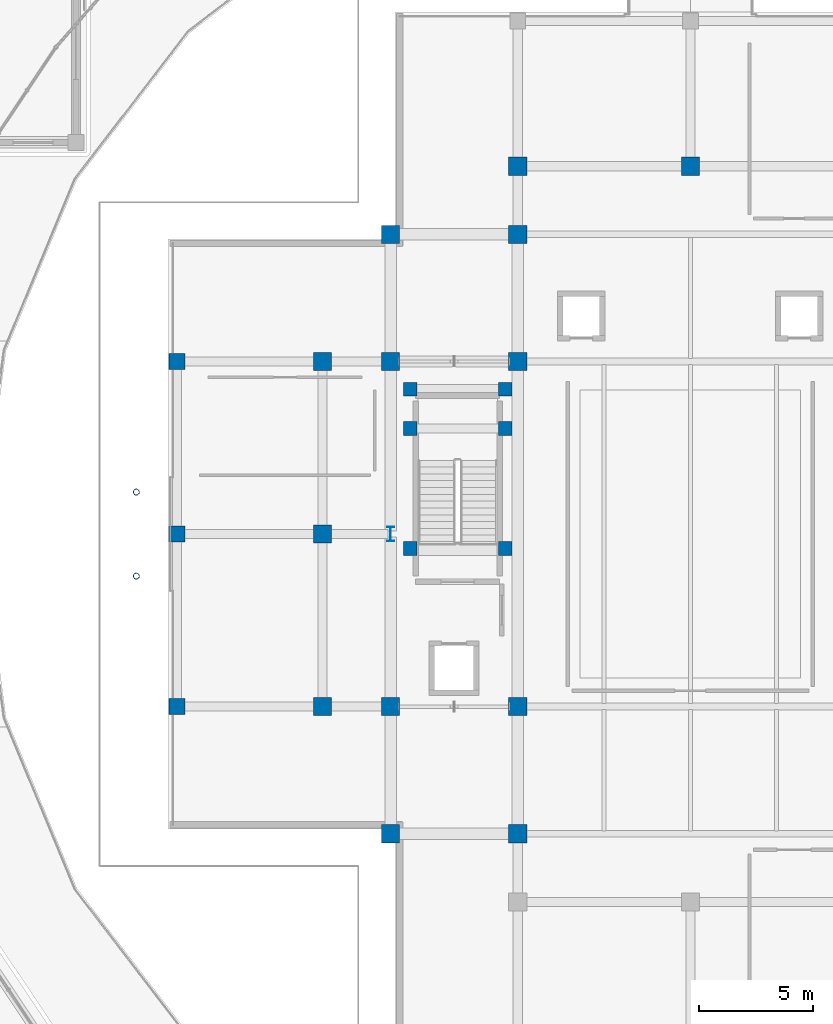
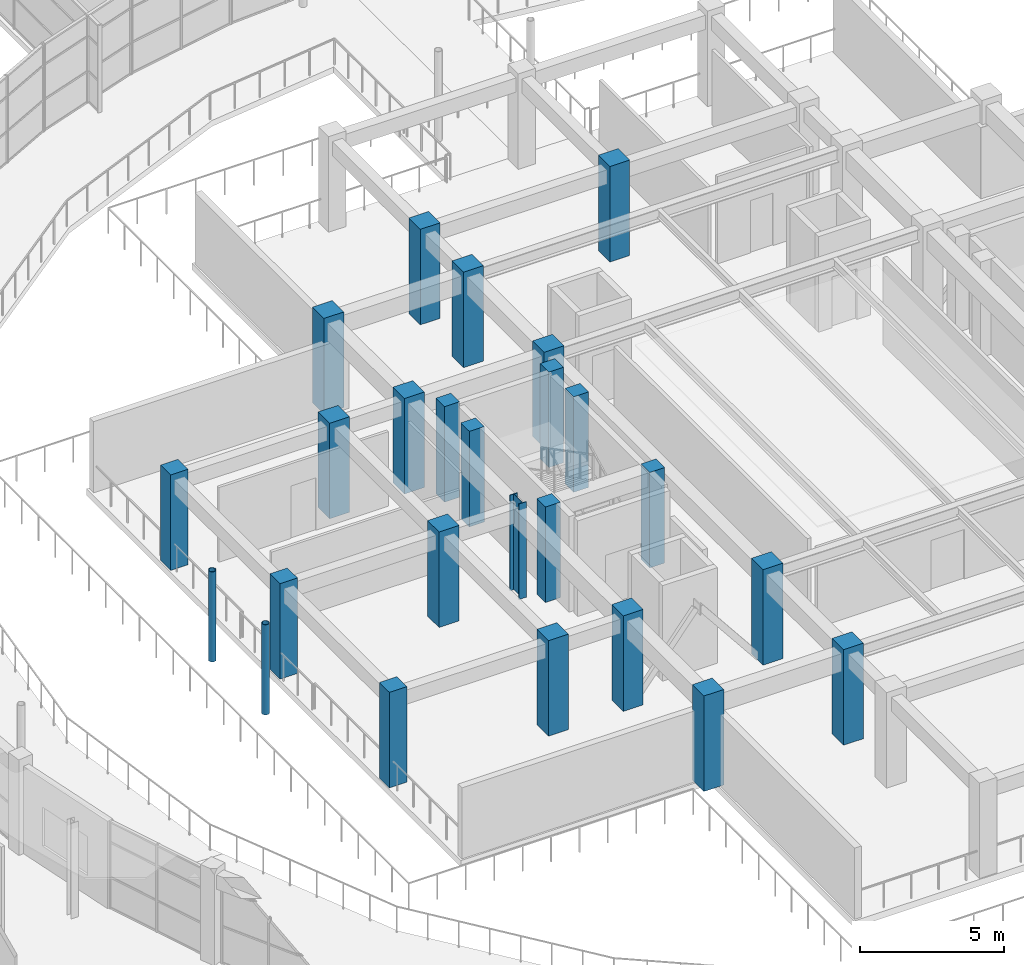
# One storey, part 4 of 83: 25 columns.
"""IFC4 building model written with IfcOpenShell, lengths in metres."""

from ifc_helpers import new_model, si_unit, direction, frame, origin, origin_2d, place, context, subcontext, project, spatial, rectangle, hollow_circle, i_section, extrude, material, material_profile, profile_set, type_object, element, save


model = new_model("IFC4")

# Units and contexts
model_context = context("Model", 3, precision=1e-05, world=origin(), true_north=direction((0.0, 1.0)))
body_context = subcontext(model_context, "Body", "Model", "MODEL_VIEW")
ifc_project = project(units=[si_unit("LENGTHUNIT", "METRE"), si_unit("AREAUNIT", "SQUARE_METRE"), si_unit("VOLUMEUNIT", "CUBIC_METRE"), si_unit("PLANEANGLEUNIT", "RADIAN"), si_unit("MASSUNIT", "GRAM", prefix="KILO")], contexts=[model_context])

# Site, building, storey
site_placement = place(None, origin())
site = spatial("IfcSite", under=ifc_project, at=site_placement, CompositionType="ELEMENT")
building_placement = place(site_placement, origin())
building = spatial("IfcBuilding", under=site, at=building_placement, Name="Saryqyr Civic Hall", CompositionType="ELEMENT")
storey_placement = place(building_placement, frame((0.0, 0.0, 9.14990234375)))
storey = spatial("IfcBuildingStorey", under=building, at=storey_placement, Name="L02", CompositionType="ELEMENT", Elevation=9.14990234375)

# Columns
ifc_material_1 = material(Name="Steel S355", Category="steel")
ifc_material_profile_1 = material_profile(ifc_material_1, hollow_circle(Radius=0.136474609375, WallThickness=0.01611328125, at=origin_2d()), Name="CHS 273x16")
ifc_profile_set_1 = profile_set([ifc_material_profile_1], Name="Steel S355")
column_type_1 = type_object("IfcColumnType", Name="STR-COL-CHS273-S355", PredefinedType="COLUMN", material=ifc_profile_set_1)
for number, where, z_axis, x_axis, name in (
    (1, (32.60009765625, 82.14990234375, 0.0), (0.0, 0.0, 1.0), (1.0, 0.0, 0.0), "Column BRCOL-BR-CW-2-L02"),
    (2, (32.60009765625, 85.85009765625, 0.0), (0.0, 0.0, 1.0), (1.0, 0.0, 0.0), "Column BRCOL-BR-CW-3-L02"),
):
    element("IfcColumn", number, at=place(storey_placement, frame(where, z_axis=z_axis, x_axis=x_axis)), inside=storey, type_object=column_type_1, Name=name, PredefinedType="COLUMN", context=body_context, shape_type="SweptSolid", body=[
        extrude(hollow_circle(Radius=0.136474609375, WallThickness=0.01611328125, at=origin_2d()), origin(), (0.0, 0.0, 1.0), 3.820068359375),
    ])
ifc_material_profile_2 = material_profile(ifc_material_1, i_section(OverallWidth=0.300048828125, OverallDepth=0.64990234375, WebThickness=0.01611328125, FlangeThickness=0.031005859375, at=origin_2d()), Name="HEB 650")
ifc_profile_set_2 = profile_set([ifc_material_profile_2], Name="Steel S355")
column_type_2 = type_object("IfcColumnType", Name="STR-COL-HEB650-S355", PredefinedType="COLUMN", material=ifc_profile_set_2)
column_placement = place(storey_placement, frame((43.800048828125, 84.0, 0.0), z_axis=(0.0, 0.0, 1.0), x_axis=(1.0, 0.0, 0.0)))
element("IfcColumn", 3, at=column_placement, inside=storey, type_object=column_type_2, Name="Column V1-GCOL-W-L02", PredefinedType="COLUMN", context=body_context, shape_type="SweptSolid", body=[
    extrude(i_section(OverallWidth=0.300048828125, OverallDepth=0.64990234375, WebThickness=0.01611328125, FlangeThickness=0.031005859375, at=origin_2d()), origin(), (0.0, 0.0, 1.0), 4.050048828125),
])
ifc_material_2 = material(Name="Concrete C40/50", Category="concrete")
ifc_material_profile_3 = material_profile(ifc_material_2, rectangle(XDim=0.60009765625, YDim=0.60009765625, at=origin_2d()), Name="RC 600x600")
ifc_profile_set_3 = profile_set([ifc_material_profile_3], Name="Concrete C40/50")
column_type_3 = type_object("IfcColumnType", Name="STR-COL-RC600-C40", PredefinedType="COLUMN", material=ifc_profile_set_3)
for number, where, z_axis, x_axis, name in (
    (4, (48.840087890625, 83.364990234375, 0.0), (0.0, 0.0, 1.0), (1.0, 0.0, 0.0), "Column ST-1-SCOL-TRMA-L02"),
    (5, (44.659912109375, 83.364990234375, 0.0), (0.0, 0.0, 1.0), (1.0, 0.0, 0.0), "Column ST-1-SCOL-TRMB-L02"),
    (6, (48.840087890625, 88.64990234375, 0.0), (0.0, 0.0, 1.0), (1.0, 0.0, 0.0), "Column ST-1-SCOL-LND1A-L02"),
    (7, (44.659912109375, 88.64990234375, 0.0), (0.0, 0.0, 1.0), (1.0, 0.0, 0.0), "Column ST-1-SCOL-LND1B-L02"),
    (8, (48.840087890625, 90.3798828125, 0.0), (0.0, 0.0, 1.0), (1.0, 0.0, 0.0), "Column ST-1-SCOL-LND2A-L02"),
    (9, (44.659912109375, 90.3798828125, 0.0), (0.0, 0.0, 1.0), (1.0, 0.0, 0.0), "Column ST-1-SCOL-LND2B-L02"),
):
    element("IfcColumn", number, at=place(storey_placement, frame(where, z_axis=z_axis, x_axis=x_axis)), inside=storey, type_object=column_type_3, Name=name, PredefinedType="COLUMN", context=body_context, shape_type="SweptSolid", body=[
        extrude(rectangle(XDim=0.60009765625, YDim=0.60009765625, at=origin_2d()), origin(), (0.0, 0.0, 1.0), 4.050048828125),
    ])
ifc_material_profile_4 = material_profile(ifc_material_2, rectangle(XDim=0.699951171875, YDim=0.699951171875, at=origin_2d()), Name="RC 700x700")
ifc_profile_set_4 = profile_set([ifc_material_profile_4], Name="Concrete C40/50")
column_type_4 = type_object("IfcColumnType", Name="STR-COL-RC700-C40", PredefinedType="COLUMN", material=ifc_profile_set_4)
for number, where, z_axis, x_axis, name in (
    (10, (34.39990234375, 76.39990234375, 0.0), (0.0, 0.0, 1.0), (1.0, 0.0, 0.0), "Column V1-COL-S1P01-L02"),
    (11, (34.39990234375, 84.0, 0.0), (0.0, 0.0, 1.0), (1.0, 0.0, 0.0), "Column V1-COL-S1P02-L02"),
    (12, (34.39990234375, 91.60009765625, 0.0), (0.0, 0.0, 1.0), (1.0, 0.0, 0.0), "Column V1-COL-S1P03-L02"),
):
    element("IfcColumn", number, at=place(storey_placement, frame(where, z_axis=z_axis, x_axis=x_axis)), inside=storey, type_object=column_type_4, Name=name, PredefinedType="COLUMN", context=body_context, shape_type="SweptSolid", body=[
        extrude(rectangle(XDim=0.699951171875, YDim=0.699951171875, at=origin_2d()), origin(), (0.0, 0.0, 1.0), 4.050048828125),
    ])
ifc_material_profile_5 = material_profile(ifc_material_2, rectangle(XDim=0.800048828125, YDim=0.800048828125, at=origin_2d()), Name="RC 800x800")
ifc_profile_set_5 = profile_set([ifc_material_profile_5], Name="Concrete C40/50")
column_type_5 = type_object("IfcColumnType", Name="STR-COL-RC800-C40", PredefinedType="COLUMN", material=ifc_profile_set_5)
for number, where, z_axis, x_axis, name in (
    (13, (43.800048828125, 70.800048828125, 0.0), (0.0, 0.0, 1.0), (1.0, 0.0, 0.0), "Column V1-COL-C11-L02"),
    (14, (43.800048828125, 76.39990234375, 0.0), (0.0, 0.0, 1.0), (1.0, 0.0, 0.0), "Column V1-COL-C12-L02"),
    (15, (43.800048828125, 91.60009765625, 0.0), (0.0, 0.0, 1.0), (1.0, 0.0, 0.0), "Column V1-COL-C13-L02"),
    (16, (43.800048828125, 97.199951171875, 0.0), (0.0, 0.0, 1.0), (1.0, 0.0, 0.0), "Column V1-COL-C14-L02"),
    (17, (49.39990234375, 70.800048828125, 0.0), (0.0, 0.0, 1.0), (1.0, 0.0, 0.0), "Column V1-COL-C21-L02"),
    (18, (49.39990234375, 76.39990234375, 0.0), (0.0, 0.0, 1.0), (1.0, 0.0, 0.0), "Column V1-COL-C22-L02"),
    (19, (49.39990234375, 91.60009765625, 0.0), (0.0, 0.0, 1.0), (1.0, 0.0, 0.0), "Column V1-COL-C23-L02"),
    (20, (49.39990234375, 97.199951171875, 0.0), (0.0, 0.0, 1.0), (1.0, 0.0, 0.0), "Column V1-COL-C24-L02"),
    (21, (40.800048828125, 76.39990234375, 0.0), (0.0, 0.0, 1.0), (1.0, 0.0, 0.0), "Column V1-COL-S3P01-L02"),
    (22, (40.800048828125, 84.0, 0.0), (0.0, 0.0, 1.0), (1.0, 0.0, 0.0), "Column V1-COL-S3P02-L02"),
    (23, (40.800048828125, 91.60009765625, 0.0), (0.0, 0.0, 1.0), (1.0, 0.0, 0.0), "Column V1-COL-S3P03-L02"),
    (24, (49.39990234375, 100.199951171875, 0.0), (0.0, 0.0, 1.0), (1.0, 0.0, 0.0), "Column V1-COL-S3P10-L02"),
    (25, (57.0, 100.199951171875, 0.0), (0.0, 0.0, 1.0), (1.0, 0.0, 0.0), "Column V1-COL-S3P11-L02"),
):
    element("IfcColumn", number, at=place(storey_placement, frame(where, z_axis=z_axis, x_axis=x_axis)), inside=storey, type_object=column_type_5, Name=name, PredefinedType="COLUMN", context=body_context, shape_type="SweptSolid", body=[
        extrude(rectangle(XDim=0.800048828125, YDim=0.800048828125, at=origin_2d()), origin(), (0.0, 0.0, 1.0), 4.050048828125),
    ])

save(model, "model.ifc")
